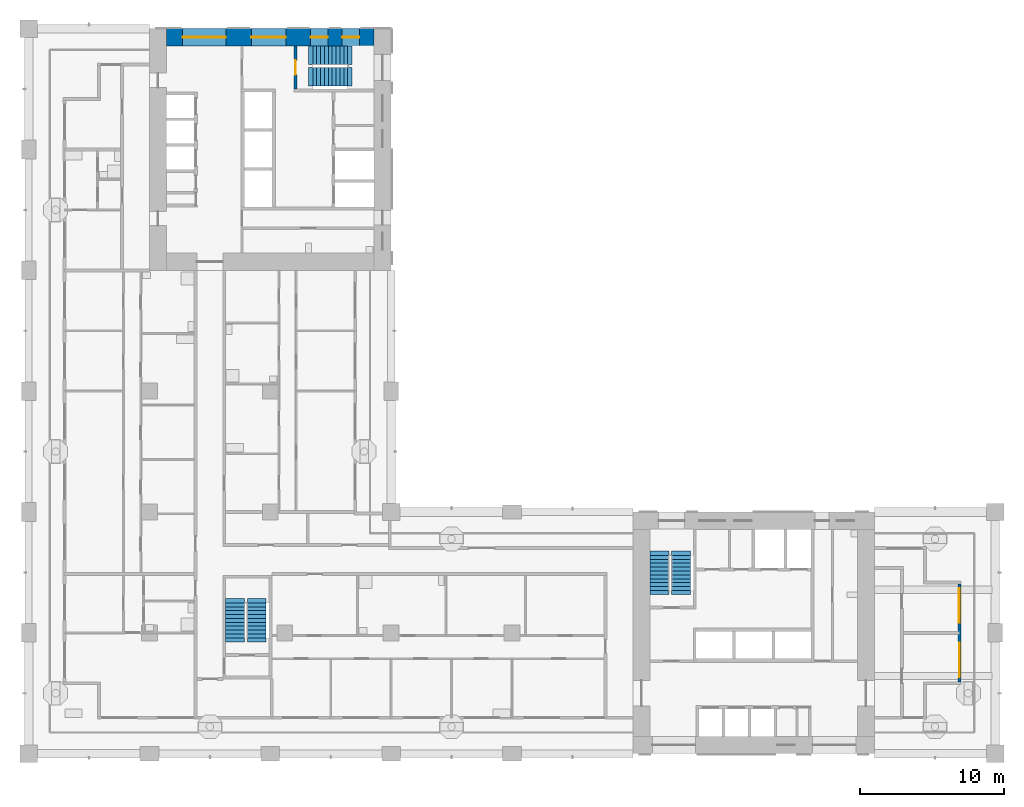
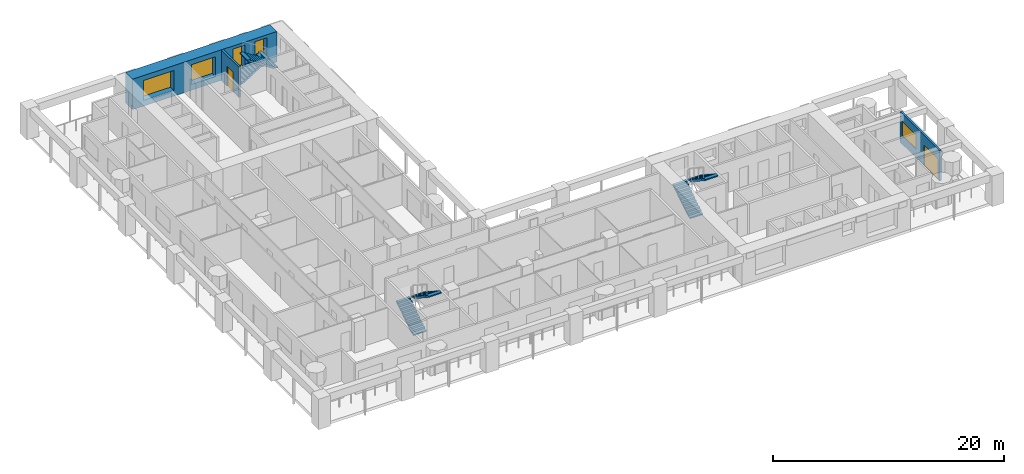
# One storey, part 8 of 18: 6 stair flights, 5 windows, 3 walls, 2 doors, 7 openings, 3 elements without a shape of their own.
"""IFC4 building model written with IfcOpenShell, lengths in metres."""

from ifc_helpers import new_model, si_unit, direction, frame, frame_2d, origin, place, context, subcontext, project, spatial, polyline, rectangle, outline, extrude, material, layer, layer_set, type_object, element, fill, aggregate, save


model = new_model("IFC4")

# Units and contexts
model_context = context("Model", 3, precision=1e-05, world=origin(), true_north=direction((0.0, 1.0)))
body_context = subcontext(model_context, "Body", "Model", "MODEL_VIEW")
ifc_project = project(units=[si_unit("LENGTHUNIT", "METRE"), si_unit("AREAUNIT", "SQUARE_METRE"), si_unit("VOLUMEUNIT", "CUBIC_METRE"), si_unit("PLANEANGLEUNIT", "RADIAN"), si_unit("MASSUNIT", "GRAM", prefix="KILO")], contexts=[model_context])

# Site, building, storey
site_placement = place(None, origin())
site = spatial("IfcSite", under=ifc_project, at=site_placement, CompositionType="ELEMENT")
building_placement = place(site_placement, origin())
building = spatial("IfcBuilding", under=site, at=building_placement, Name="Vermilion Gate Residences", CompositionType="ELEMENT")
storey_placement = place(building_placement, frame((0.0, 0.0, 102.199951171875)))
storey = spatial("IfcBuildingStorey", under=building, at=storey_placement, Name="L25", CompositionType="ELEMENT", Elevation=102.199951171875)

# Wall, openings, door, window
ifc_material_1 = material(Name="Insulated steel stud wall with terracotta rainscreen", Category="masonry")
ifc_layer_1 = layer(ifc_material_1, 0.199951171875)
ifc_layer_set_1 = layer_set([ifc_layer_1], Name="EXTERNAL WALL 200 TERRACOTTA RAINSCREEN")
wall_type_1 = type_object("IfcWallType", Name="EXTERNAL WALL 200 TERRACOTTA RAINSCREEN", PredefinedType="SOLIDWALL", material=ifc_layer_set_1)
wall_1_placement = place(storey_placement, frame((64.699951171875, 13.39990234375, 0.0), z_axis=(0.0, 0.0, 1.0), x_axis=(0.0, 1.0, 0.0)))
wall_1 = element("IfcWall", 1, at=wall_1_placement, inside=storey, type_object=wall_type_1, Name="External wall", PredefinedType="SOLIDWALL", context=body_context, shape_type="SweptSolid", body=[
    extrude(rectangle(XDim=6.800048828125, YDim=0.199951171875, at=frame_2d((3.39990234375, 0.0))), origin(), (0.0, 0.0, 1.0), 3.219970703125),
])
opening_1_placement = place(wall_1_placement, frame((4.10009765625, 0.0, 0.89990234375)))
opening_1 = element("IfcOpeningElement", 2, at=opening_1_placement, cuts=wall_1, Name="Opening WE25022", PredefinedType="OPENING", context=body_context, shape_type="SweptSolid", body=[
    extrude(rectangle(XDim=2.39990234375, YDim=1.5, at=frame_2d((1.199951171875, 0.75))), frame((0.0, 0.10986328125, 0.0), z_axis=(0.0, -1.0, 0.0), x_axis=(1.0, 0.0, 0.0)), (0.0, 0.0, 1.0), 0.219970703125),
])
opening_2_placement = place(wall_1_placement, frame((0.300048828125, 0.0, 0.0)))
opening_2 = element("IfcOpeningElement", 3, at=opening_2_placement, cuts=wall_1, Name="Opening DE25028", PredefinedType="OPENING", context=body_context, shape_type="SweptSolid", body=[
    extrude(rectangle(XDim=2.39990234375, YDim=2.199951171875, at=frame_2d((1.199951171875, 1.10009765625))), frame((0.0, 0.10986328125, 0.0), z_axis=(0.0, -1.0, 0.0), x_axis=(1.0, 0.0, 0.0)), (0.0, 0.0, 1.0), 0.219970703125),
])
ifc_material_2 = material(Name="Aluminium and clear glass", Category="aluminium")
door_type_1 = type_object("IfcDoorType", Name="SLIDING GLAZED DOOR 2400 X 2200", OperationType="DOUBLE_DOOR_SLIDING", PredefinedType="DOOR", material=ifc_material_2)
door_1_placement = place(opening_2_placement, origin())
door_1 = element("IfcDoor", 4, at=door_1_placement, inside=storey, type_object=door_type_1, Name="Loggia sliding door", OperationType="DOUBLE_DOOR_SLIDING", OverallHeight=2.199951171875, OverallWidth=2.39990234375, PredefinedType="DOOR", context=body_context, shape_type="SweptSolid", body=[
    extrude(rectangle(XDim=2.39990234375, YDim=2.199951171875, at=frame_2d((1.199951171875, 1.10009765625))), frame((0.0, 0.02490234375, 0.0), z_axis=(0.0, -1.0, 0.0), x_axis=(1.0, 0.0, 0.0)), (0.0, 0.0, 1.0), 0.050048828125),
])
fill(opening_2, door_1)
ifc_material_3 = material(Name="Aluminium and clear glass", Category="aluminium")
window_type_1 = type_object("IfcWindowType", Name="WINDOW 2400 X 1500", PartitioningType="SINGLE_PANEL", PredefinedType="WINDOW", material=ifc_material_3)
window_1_placement = place(opening_1_placement, origin())
window_1 = element("IfcWindow", 5, at=window_1_placement, inside=storey, type_object=window_type_1, Name="Window", OverallHeight=1.5, OverallWidth=2.39990234375, PartitioningType="SINGLE_PANEL", PredefinedType="WINDOW", context=body_context, shape_type="SweptSolid", body=[
    extrude(rectangle(XDim=2.39990234375, YDim=1.5, at=frame_2d((1.199951171875, 0.75))), frame((0.0, 0.030029296875, 0.0), z_axis=(0.0, -1.0, 0.0), x_axis=(1.0, 0.0, 0.0)), (0.0, 0.0, 1.0), 0.06005859375),
])
fill(opening_1, window_1)

# Wall, opening, door
ifc_material_4 = material(Name="Concrete C60", Category="concrete")
ifc_layer_2 = layer(ifc_material_4, 0.199951171875)
ifc_layer_set_2 = layer_set([ifc_layer_2], Name="RC CORE INTERNAL WALL 200 C60")
wall_type_2 = type_object("IfcWallType", Name="RC CORE INTERNAL WALL 200 C60", PredefinedType="SHEAR", material=ifc_layer_set_2)
wall_2_placement = place(storey_placement, frame((18.550048828125, 57.60009765625, 0.0), z_axis=(0.0, 0.0, 1.0), x_axis=(0.0, -1.0, 0.0)))
wall_2 = element("IfcWall", 6, at=wall_2_placement, inside=storey, type_object=wall_type_2, Name="Core internal wall B25-STW-S", PredefinedType="SHEAR", context=body_context, shape_type="SweptSolid", body=[
    extrude(rectangle(XDim=3.0, YDim=0.199951171875, at=frame_2d((1.5, 0.0))), origin(), (0.0, 0.0, 1.0), 3.219970703125),
])
opening_3_placement = place(wall_2_placement, frame((1.0, 0.0, 0.0)))
opening_3 = element("IfcOpeningElement", 7, at=opening_3_placement, cuts=wall_2, Name="Opening DK25114", PredefinedType="OPENING", context=body_context, shape_type="SweptSolid", body=[
    extrude(rectangle(XDim=1.0, YDim=2.10009765625, at=frame_2d((0.5, 1.050048828125))), frame((0.0, 0.10986328125, 0.0), z_axis=(0.0, -1.0, 0.0), x_axis=(1.0, 0.0, 0.0)), (0.0, 0.0, 1.0), 0.219970703125),
])
ifc_material_5 = material(Name="Steel", Category="steel")
door_type_2 = type_object("IfcDoorType", Name="FIRE DOOR FD60 1000 X 2100", OperationType="SINGLE_SWING_LEFT", PredefinedType="DOOR", material=ifc_material_5)
door_2_placement = place(opening_3_placement, origin())
door_2 = element("IfcDoor", 8, at=door_2_placement, inside=storey, type_object=door_type_2, Name="Stair door B25", OperationType="SINGLE_SWING_LEFT", OverallHeight=2.10009765625, OverallWidth=1.0, PredefinedType="DOOR", context=body_context, shape_type="SweptSolid", body=[
    extrude(rectangle(XDim=1.0, YDim=2.10009765625, at=frame_2d((0.5, 1.050048828125))), frame((0.0, 0.02490234375, 0.0), z_axis=(0.0, -1.0, 0.0), x_axis=(1.0, 0.0, 0.0)), (0.0, 0.0, 1.0), 0.050048828125),
])
fill(opening_3, door_2)

# Wall, openings, windows
ifc_material_6 = material(Name="Concrete C70 red-oxide pigmented", Category="concrete")
ifc_layer_3 = layer(ifc_material_6, 1.199951171875)
ifc_layer_set_3 = layer_set([ifc_layer_3], Name="RC CORE WALL 1200 C70 RED OXIDE")
wall_type_3 = type_object("IfcWallType", Name="RC CORE WALL 1200 C70 RED OXIDE", PredefinedType="SHEAR", material=ifc_layer_set_3)
wall_3_placement = place(storey_placement, frame((9.60009765625, 58.199951171875, 0.0), z_axis=(0.0, 0.0, 1.0), x_axis=(1.0, 0.0, 0.0)))
wall_3 = element("IfcWall", 9, at=wall_3_placement, inside=storey, type_object=wall_type_3, Name="Core wall B25-OUT-FR", PredefinedType="SHEAR", context=body_context, shape_type="SweptSolid", body=[
    extrude(rectangle(XDim=14.39990234375, YDim=1.199951171875, at=frame_2d((7.199951171875, 0.0))), origin(), (0.0, 0.0, 1.0), 3.219970703125),
])
opening_4_placement = place(wall_3_placement, frame((1.10498046875, 0.0, 0.60009765625)))
opening_4 = element("IfcOpeningElement", 10, at=opening_4_placement, cuts=wall_3, Name="Opening WKB2506", PredefinedType="OPENING", context=body_context, shape_type="SweptSolid", body=[
    extrude(rectangle(XDim=3.0, YDim=2.10009765625, at=frame_2d((1.5, 1.050048828125))), frame((0.0, 0.60986328125, 0.0), z_axis=(0.0, -1.0, 0.0), x_axis=(1.0, 0.0, 0.0)), (0.0, 0.0, 1.0), 1.219970703125),
])
opening_5_placement = place(wall_3_placement, frame((5.875, 0.0, 0.60009765625)))
opening_5 = element("IfcOpeningElement", 11, at=opening_5_placement, cuts=wall_3, Name="Opening WKB2507", PredefinedType="OPENING", context=body_context, shape_type="SweptSolid", body=[
    extrude(rectangle(XDim=2.39990234375, YDim=2.10009765625, at=frame_2d((1.199951171875, 1.050048828125))), frame((0.0, 0.60986328125, 0.0), z_axis=(0.0, -1.0, 0.0), x_axis=(1.0, 0.0, 0.0)), (0.0, 0.0, 1.0), 1.219970703125),
])
opening_6_placement = place(wall_3_placement, frame((9.993408203125, 0.0, 0.5)))
opening_6 = element("IfcOpeningElement", 12, at=opening_6_placement, cuts=wall_3, Name="Opening WKB2508", PredefinedType="OPENING", context=body_context, shape_type="SweptSolid", body=[
    extrude(rectangle(XDim=1.199951171875, YDim=2.39990234375, at=frame_2d((0.60009765625, 1.199951171875))), frame((0.0, 0.60986328125, 0.0), z_axis=(0.0, -1.0, 0.0), x_axis=(1.0, 0.0, 0.0)), (0.0, 0.0, 1.0), 1.219970703125),
])
opening_7_placement = place(wall_3_placement, frame((12.19677734375, 0.0, 0.5)))
opening_7 = element("IfcOpeningElement", 13, at=opening_7_placement, cuts=wall_3, Name="Opening WKB2509", PredefinedType="OPENING", context=body_context, shape_type="SweptSolid", body=[
    extrude(rectangle(XDim=1.199951171875, YDim=2.39990234375, at=frame_2d((0.60009765625, 1.199951171875))), frame((0.0, 0.60986328125, 0.0), z_axis=(0.0, -1.0, 0.0), x_axis=(1.0, 0.0, 0.0)), (0.0, 0.0, 1.0), 1.219970703125),
])
ifc_material_7 = material(Name="Aluminium and clear glass", Category="aluminium")
window_type_2 = type_object("IfcWindowType", Name="CORE LOBBY WINDOW 2400 X 2100", PartitioningType="SINGLE_PANEL", PredefinedType="WINDOW", material=ifc_material_7)
window_2_placement = place(opening_5_placement, origin())
window_2 = element("IfcWindow", 14, at=window_2_placement, inside=storey, type_object=window_type_2, Name="Core lobby window", OverallHeight=2.10009765625, OverallWidth=2.39990234375, PartitioningType="SINGLE_PANEL", PredefinedType="WINDOW", context=body_context, shape_type="SweptSolid", body=[
    extrude(rectangle(XDim=2.39990234375, YDim=2.10009765625, at=frame_2d((1.199951171875, 1.050048828125))), frame((0.0, 0.030029296875, 0.0), z_axis=(0.0, -1.0, 0.0), x_axis=(1.0, 0.0, 0.0)), (0.0, 0.0, 1.0), 0.06005859375),
])
fill(opening_5, window_2)
ifc_material_8 = material(Name="Aluminium and clear glass", Category="aluminium")
window_type_3 = type_object("IfcWindowType", Name="CORE LOBBY WINDOW 3000 X 2100", PartitioningType="SINGLE_PANEL", PredefinedType="WINDOW", material=ifc_material_8)
window_3_placement = place(opening_4_placement, origin())
window_3 = element("IfcWindow", 15, at=window_3_placement, inside=storey, type_object=window_type_3, Name="Core lobby window", OverallHeight=2.10009765625, OverallWidth=3.0, PartitioningType="SINGLE_PANEL", PredefinedType="WINDOW", context=body_context, shape_type="SweptSolid", body=[
    extrude(rectangle(XDim=3.0, YDim=2.10009765625, at=frame_2d((1.5, 1.050048828125))), frame((0.0, 0.030029296875, 0.0), z_axis=(0.0, -1.0, 0.0), x_axis=(1.0, 0.0, 0.0)), (0.0, 0.0, 1.0), 0.06005859375),
])
fill(opening_4, window_3)
ifc_material_9 = material(Name="Aluminium and clear glass", Category="aluminium")
window_type_4 = type_object("IfcWindowType", Name="CORE STAIR WINDOW 1200 X 2400", PartitioningType="SINGLE_PANEL", PredefinedType="WINDOW", material=ifc_material_9)
window_4_placement = place(opening_6_placement, origin())
window_4 = element("IfcWindow", 16, at=window_4_placement, inside=storey, type_object=window_type_4, Name="Core stair window", OverallHeight=2.39990234375, OverallWidth=1.199951171875, PartitioningType="SINGLE_PANEL", PredefinedType="WINDOW", context=body_context, shape_type="SweptSolid", body=[
    extrude(rectangle(XDim=1.199951171875, YDim=2.39990234375, at=frame_2d((0.60009765625, 1.199951171875))), frame((0.0, 0.030029296875, 0.0), z_axis=(0.0, -1.0, 0.0), x_axis=(1.0, 0.0, 0.0)), (0.0, 0.0, 1.0), 0.06005859375),
])
fill(opening_6, window_4)
window_5_placement = place(opening_7_placement, origin())
window_5 = element("IfcWindow", 17, at=window_5_placement, inside=storey, type_object=window_type_4, Name="Core stair window", OverallHeight=2.39990234375, OverallWidth=1.199951171875, PartitioningType="SINGLE_PANEL", PredefinedType="WINDOW", context=body_context, shape_type="SweptSolid", body=[
    extrude(rectangle(XDim=1.199951171875, YDim=2.39990234375, at=frame_2d((0.60009765625, 1.199951171875))), frame((0.0, 0.030029296875, 0.0), z_axis=(0.0, -1.0, 0.0), x_axis=(1.0, 0.0, 0.0)), (0.0, 0.0, 1.0), 0.06005859375),
])
fill(opening_7, window_5)

# Stair, stair flights
ifc_material_10 = material(Name="Concrete C50", Category="concrete")
stair_type = type_object("IfcStairType", Name="SPECIAL ESCAPE STAIR 1300", PredefinedType="HALF_TURN_STAIR", material=ifc_material_10)
stair_1_placement = place(storey_placement, origin())
stair_1 = element("IfcStair", 18, at=stair_1_placement, inside=storey, type_object=stair_type, Name="Special escape stair STA1-25", PredefinedType="HALF_TURN_STAIR")
ifc_material_11 = material(Name="Concrete C50", Category="concrete")
stair_flight_type = type_object("IfcStairFlightType", Name="STAIR FLIGHT 1300 RC C50", PredefinedType="STRAIGHT", material=ifc_material_11)
stair_flight_1_placement = place(storey_placement, frame((43.85009765625, 19.75, 0.0), z_axis=(0.0, 0.0, 1.0), x_axis=(0.0, 1.0, 0.0)))
stair_flight_1 = element("IfcStairFlight", 19, at=stair_flight_1_placement, type_object=stair_flight_type, Name="STA1-25 flight 1", NumberOfRisers=10, NumberOfTreads=9, PredefinedType="STRAIGHT", RiserHeight=0.175, TreadLength=0.27, context=body_context, shape_type="SweptSolid", body=[
    extrude(outline(polyline([(-0.300048828125, -0.14990234375), (-0.300048828125, -0.030029296875), (0.0, 0.0), (0.0, 0.175048828125), (0.27001953125, 0.175048828125), (0.27001953125, 0.35009765625), (0.5400390625, 0.35009765625), (0.5400390625, 0.52490234375), (0.81005859375, 0.52490234375), (0.81005859375, 0.699951171875), (1.080078125, 0.699951171875), (1.080078125, 0.875), (1.35009765625, 0.875), (1.35009765625, 1.050048828125), (1.6201171875, 1.050048828125), (1.6201171875, 1.22509765625), (1.889892578125, 1.22509765625), (1.889892578125, 1.39990234375), (2.159912109375, 1.39990234375), (2.159912109375, 1.574951171875), (2.429931640625, 1.574951171875), (2.429931640625, 1.75), (2.72998046875, 1.719970703125), (2.72998046875, 1.60009765625), (2.429931640625, 1.396484375), (0.275634765625, 0.0), (-0.300048828125, -0.14990234375)])), frame((0.0, 0.64990234375, 0.0), z_axis=(0.0, -1.0, 0.0), x_axis=(1.0, 0.0, 0.0)), (0.0, 0.0, 1.0), 1.300048828125),
])
stair_flight_2_placement = place(storey_placement, frame((45.35009765625, 22.179931640625, 1.75), z_axis=(0.0, 0.0, 1.0), x_axis=(0.0, -1.0, 0.0)))
stair_flight_2 = element("IfcStairFlight", 20, at=stair_flight_2_placement, type_object=stair_flight_type, Name="STA1-25 flight 2", NumberOfRisers=10, NumberOfTreads=9, PredefinedType="STRAIGHT", RiserHeight=0.175, TreadLength=0.27, context=body_context, shape_type="SweptSolid", body=[
    extrude(outline(polyline([(-0.300048828125, -0.14990234375), (-0.300048828125, -0.030029296875), (0.0, 0.0), (0.0, 0.175048828125), (0.27001953125, 0.175048828125), (0.27001953125, 0.35009765625), (0.5400390625, 0.35009765625), (0.5400390625, 0.52490234375), (0.81005859375, 0.52490234375), (0.81005859375, 0.699951171875), (1.080078125, 0.699951171875), (1.080078125, 0.875), (1.35009765625, 0.875), (1.35009765625, 1.050048828125), (1.6201171875, 1.050048828125), (1.6201171875, 1.22509765625), (1.889892578125, 1.22509765625), (1.889892578125, 1.39990234375), (2.159912109375, 1.39990234375), (2.159912109375, 1.574951171875), (2.429931640625, 1.574951171875), (2.429931640625, 1.75), (2.72998046875, 1.719970703125), (2.72998046875, 1.60009765625), (2.429931640625, 1.396484375), (0.275634765625, 0.0), (-0.300048828125, -0.14990234375)])), frame((0.0, 0.64990234375, 0.0), z_axis=(0.0, -1.0, 0.0), x_axis=(1.0, 0.0, 0.0)), (0.0, 0.0, 1.0), 1.300048828125),
])
aggregate(stair_1, [stair_flight_1, stair_flight_2])

stair_2_placement = place(storey_placement, origin())
stair_2 = element("IfcStair", 21, at=stair_2_placement, inside=storey, type_object=stair_type, Name="Special escape stair STB1-25", PredefinedType="HALF_TURN_STAIR")
stair_flight_3_placement = place(storey_placement, frame((19.75, 56.949951171875, 0.0), z_axis=(0.0, 0.0, 1.0), x_axis=(1.0, 0.0, 0.0)))
stair_flight_3 = element("IfcStairFlight", 22, at=stair_flight_3_placement, type_object=stair_flight_type, Name="STB1-25 flight 1", NumberOfRisers=10, NumberOfTreads=9, PredefinedType="STRAIGHT", RiserHeight=0.175, TreadLength=0.27, context=body_context, shape_type="SweptSolid", body=[
    extrude(outline(polyline([(-0.300048828125, -0.14990234375), (-0.300048828125, -0.030029296875), (0.0, 0.0), (0.0, 0.175048828125), (0.27001953125, 0.175048828125), (0.27001953125, 0.35009765625), (0.5400390625, 0.35009765625), (0.5400390625, 0.52490234375), (0.81005859375, 0.52490234375), (0.81005859375, 0.699951171875), (1.080078125, 0.699951171875), (1.080078125, 0.875), (1.35009765625, 0.875), (1.35009765625, 1.050048828125), (1.6201171875, 1.050048828125), (1.6201171875, 1.22509765625), (1.889892578125, 1.22509765625), (1.889892578125, 1.39990234375), (2.159912109375, 1.39990234375), (2.159912109375, 1.574951171875), (2.429931640625, 1.574951171875), (2.429931640625, 1.75), (2.72998046875, 1.719970703125), (2.72998046875, 1.60009765625), (2.429931640625, 1.396484375), (0.275634765625, 0.0), (-0.300048828125, -0.14990234375)])), frame((0.0, 0.64990234375, 0.0), z_axis=(0.0, -1.0, 0.0), x_axis=(1.0, 0.0, 0.0)), (0.0, 0.0, 1.0), 1.300048828125),
])
stair_flight_4_placement = place(storey_placement, frame((22.179931640625, 55.449951171875, 1.75), z_axis=(0.0, 0.0, 1.0), x_axis=(-1.0, 0.0, 0.0)))
stair_flight_4 = element("IfcStairFlight", 23, at=stair_flight_4_placement, type_object=stair_flight_type, Name="STB1-25 flight 2", NumberOfRisers=10, NumberOfTreads=9, PredefinedType="STRAIGHT", RiserHeight=0.175, TreadLength=0.27, context=body_context, shape_type="SweptSolid", body=[
    extrude(outline(polyline([(-0.300048828125, -0.14990234375), (-0.300048828125, -0.030029296875), (0.0, 0.0), (0.0, 0.175048828125), (0.27001953125, 0.175048828125), (0.27001953125, 0.35009765625), (0.5400390625, 0.35009765625), (0.5400390625, 0.52490234375), (0.81005859375, 0.52490234375), (0.81005859375, 0.699951171875), (1.080078125, 0.699951171875), (1.080078125, 0.875), (1.35009765625, 0.875), (1.35009765625, 1.050048828125), (1.6201171875, 1.050048828125), (1.6201171875, 1.22509765625), (1.889892578125, 1.22509765625), (1.889892578125, 1.39990234375), (2.159912109375, 1.39990234375), (2.159912109375, 1.574951171875), (2.429931640625, 1.574951171875), (2.429931640625, 1.75), (2.72998046875, 1.719970703125), (2.72998046875, 1.60009765625), (2.429931640625, 1.396484375), (0.275634765625, 0.0), (-0.300048828125, -0.14990234375)])), frame((0.0, 0.64990234375, 0.0), z_axis=(0.0, -1.0, 0.0), x_axis=(1.0, 0.0, 0.0)), (0.0, 0.0, 1.0), 1.300048828125),
])
aggregate(stair_2, [stair_flight_3, stair_flight_4])

stair_3_placement = place(storey_placement, origin())
stair_3 = element("IfcStair", 24, at=stair_3_placement, inside=storey, type_object=stair_type, Name="Special escape stair STC1-25", PredefinedType="HALF_TURN_STAIR")
stair_flight_5_placement = place(storey_placement, frame((14.35009765625, 16.449951171875, 0.0), z_axis=(0.0, 0.0, 1.0), x_axis=(0.0, 1.0, 0.0)))
stair_flight_5 = element("IfcStairFlight", 25, at=stair_flight_5_placement, type_object=stair_flight_type, Name="STC1-25 flight 1", NumberOfRisers=10, NumberOfTreads=9, PredefinedType="STRAIGHT", RiserHeight=0.175, TreadLength=0.27, context=body_context, shape_type="SweptSolid", body=[
    extrude(outline(polyline([(-0.300048828125, -0.14990234375), (-0.300048828125, -0.030029296875), (0.0, 0.0), (0.0, 0.175048828125), (0.27001953125, 0.175048828125), (0.27001953125, 0.35009765625), (0.5400390625, 0.35009765625), (0.5400390625, 0.52490234375), (0.81005859375, 0.52490234375), (0.81005859375, 0.699951171875), (1.080078125, 0.699951171875), (1.080078125, 0.875), (1.35009765625, 0.875), (1.35009765625, 1.050048828125), (1.6201171875, 1.050048828125), (1.6201171875, 1.22509765625), (1.889892578125, 1.22509765625), (1.889892578125, 1.39990234375), (2.159912109375, 1.39990234375), (2.159912109375, 1.574951171875), (2.429931640625, 1.574951171875), (2.429931640625, 1.75), (2.72998046875, 1.719970703125), (2.72998046875, 1.60009765625), (2.429931640625, 1.396484375), (0.275634765625, 0.0), (-0.300048828125, -0.14990234375)])), frame((0.0, 0.64990234375, 0.0), z_axis=(0.0, -1.0, 0.0), x_axis=(1.0, 0.0, 0.0)), (0.0, 0.0, 1.0), 1.300048828125),
])
stair_flight_6_placement = place(storey_placement, frame((15.85009765625, 18.8798828125, 1.75), z_axis=(0.0, 0.0, 1.0), x_axis=(0.0, -1.0, 0.0)))
stair_flight_6 = element("IfcStairFlight", 26, at=stair_flight_6_placement, type_object=stair_flight_type, Name="STC1-25 flight 2", NumberOfRisers=10, NumberOfTreads=9, PredefinedType="STRAIGHT", RiserHeight=0.175, TreadLength=0.27, context=body_context, shape_type="SweptSolid", body=[
    extrude(outline(polyline([(-0.300048828125, -0.14990234375), (-0.300048828125, -0.030029296875), (0.0, 0.0), (0.0, 0.175048828125), (0.27001953125, 0.175048828125), (0.27001953125, 0.35009765625), (0.5400390625, 0.35009765625), (0.5400390625, 0.52490234375), (0.81005859375, 0.52490234375), (0.81005859375, 0.699951171875), (1.080078125, 0.699951171875), (1.080078125, 0.875), (1.35009765625, 0.875), (1.35009765625, 1.050048828125), (1.6201171875, 1.050048828125), (1.6201171875, 1.22509765625), (1.889892578125, 1.22509765625), (1.889892578125, 1.39990234375), (2.159912109375, 1.39990234375), (2.159912109375, 1.574951171875), (2.429931640625, 1.574951171875), (2.429931640625, 1.75), (2.72998046875, 1.719970703125), (2.72998046875, 1.60009765625), (2.429931640625, 1.396484375), (0.275634765625, 0.0), (-0.300048828125, -0.14990234375)])), frame((0.0, 0.64990234375, 0.0), z_axis=(0.0, -1.0, 0.0), x_axis=(1.0, 0.0, 0.0)), (0.0, 0.0, 1.0), 1.300048828125),
])
aggregate(stair_3, [stair_flight_5, stair_flight_6])

save(model, "model.ifc")
